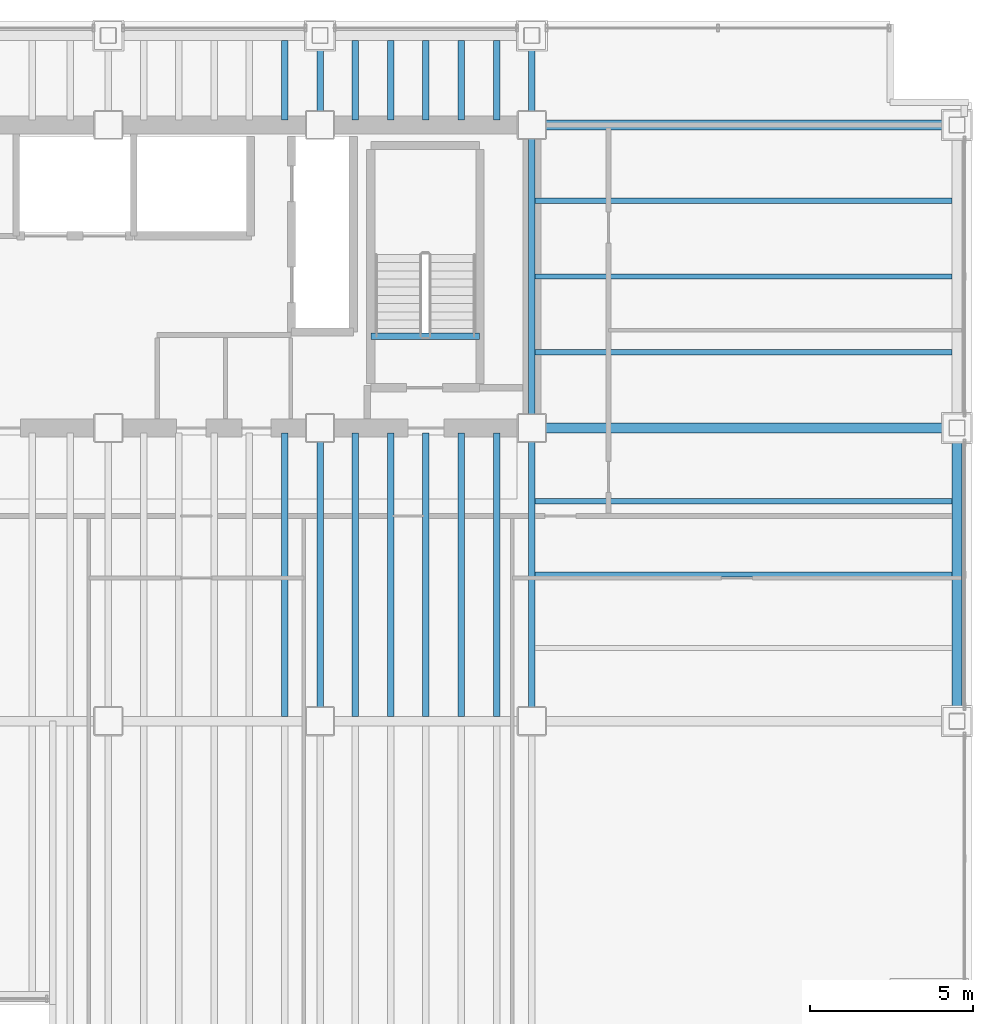
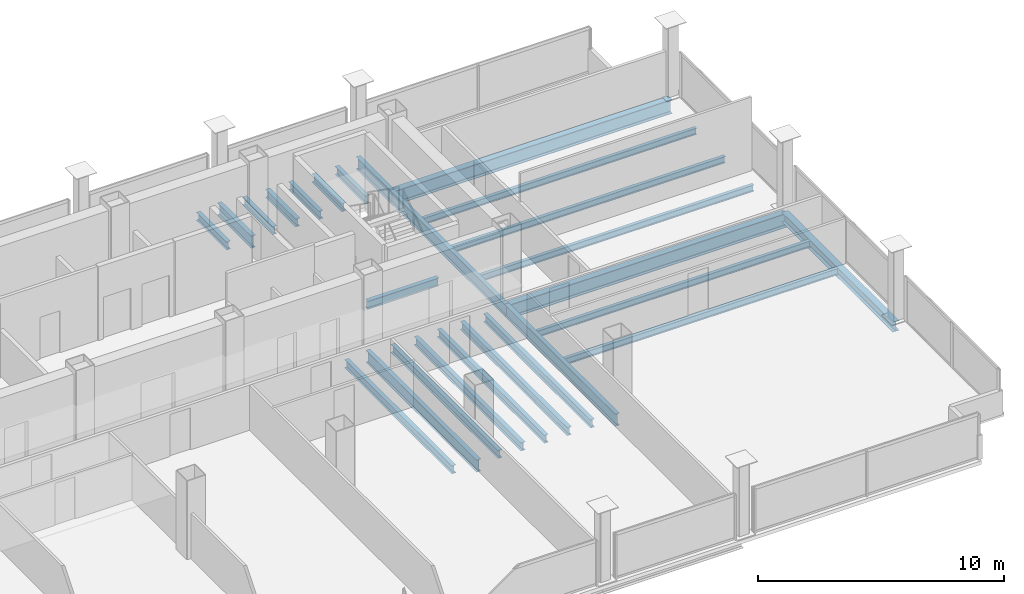
# One storey, part 12 of 21: 26 beams.
"""IFC4 building model written with IfcOpenShell, lengths in metres."""

from ifc_helpers import new_model, si_unit, direction, frame, origin, origin_2d, place, context, subcontext, project, spatial, i_section, extrude, material, material_profile, profile_set, type_object, element, save


model = new_model("IFC4")

# Units and contexts
model_context = context("Model", 3, precision=1e-05, world=origin(), true_north=direction((0.0, 1.0)))
body_context = subcontext(model_context, "Body", "Model", "MODEL_VIEW")
ifc_project = project(units=[si_unit("LENGTHUNIT", "METRE"), si_unit("AREAUNIT", "SQUARE_METRE"), si_unit("VOLUMEUNIT", "CUBIC_METRE"), si_unit("PLANEANGLEUNIT", "RADIAN"), si_unit("MASSUNIT", "GRAM", prefix="KILO")], contexts=[model_context])

# Site, building, storey
site_placement = place(None, origin())
site = spatial("IfcSite", under=ifc_project, at=site_placement, CompositionType="ELEMENT")
building_placement = place(site_placement, origin())
building = spatial("IfcBuilding", under=site, at=building_placement, Name="Noeulbin Bourse Tower", CompositionType="ELEMENT")
storey_placement = place(building_placement, frame((0.0, 0.0, 111.0)))
storey = spatial("IfcBuildingStorey", under=building, at=storey_placement, Name="L27", CompositionType="ELEMENT", Elevation=111.0)

# Beams
ifc_material = material(Name="Steel S355", Category="steel")
ifc_material_profile_1 = material_profile(ifc_material, i_section(OverallWidth=0.199951171875, OverallDepth=0.60009765625, WebThickness=0.010986328125, FlangeThickness=0.01708984375, FilletRadius=0.02197265625, at=origin_2d()), Name="H-600x200x11x17", Category="LoadBearing")
ifc_profile_set_1 = profile_set([ifc_material_profile_1], Name="Steel S355")
beam_type_1 = type_object("IfcBeamType", Name="BM-GRD-600", PredefinedType="USERDEFINED", material=ifc_profile_set_1)
beam_1_placement = place(storey_placement, frame((37.5, 20.0, -0.47998046875), z_axis=(0.0, 1.0, 0.0), x_axis=(-1.0, 0.0, 0.0)))
element("IfcBeam", 1, at=beam_1_placement, inside=storey, type_object=beam_type_1, Name="Tower Primary Girder NS L27-4.2", ObjectType="GIRDER", PredefinedType="USERDEFINED", context=body_context, shape_type="SweptSolid", body=[
    extrude(i_section(OverallWidth=0.199951171875, OverallDepth=0.60009765625, WebThickness=0.010986328125, FlangeThickness=0.01708984375, FilletRadius=0.02197265625, at=origin_2d()), origin(), (0.0, 0.0, 1.0), 9.0),
])
beam_2_placement = place(storey_placement, frame((37.5, 38.300048828125, -0.47998046875), z_axis=(0.0, 1.0, 0.0), x_axis=(-1.0, 0.0, 0.0)))
element("IfcBeam", 2, at=beam_2_placement, inside=storey, type_object=beam_type_1, Name="Tower Primary Girder NS L27-4.4", ObjectType="GIRDER", PredefinedType="USERDEFINED", context=body_context, shape_type="SweptSolid", body=[
    extrude(i_section(OverallWidth=0.199951171875, OverallDepth=0.60009765625, WebThickness=0.010986328125, FlangeThickness=0.01708984375, FilletRadius=0.02197265625, at=origin_2d()), origin(), (0.0, 0.0, 1.0), 2.75),
])
beam_3_placement = place(storey_placement, frame((44.0, 20.0, -0.47998046875), z_axis=(0.0, 1.0, 0.0), x_axis=(-1.0, 0.0, 0.0)))
element("IfcBeam", 3, at=beam_3_placement, inside=storey, type_object=beam_type_1, Name="Tower Primary Girder NS L27-5.2", ObjectType="GIRDER", PredefinedType="USERDEFINED", context=body_context, shape_type="SweptSolid", body=[
    extrude(i_section(OverallWidth=0.199951171875, OverallDepth=0.60009765625, WebThickness=0.010986328125, FlangeThickness=0.01708984375, FilletRadius=0.02197265625, at=origin_2d()), origin(), (0.0, 0.0, 1.0), 9.0),
])
beam_4_placement = place(storey_placement, frame((44.0, 29.0, -0.47998046875), z_axis=(0.0, 1.0, 0.0), x_axis=(-1.0, 0.0, 0.0)))
element("IfcBeam", 4, at=beam_4_placement, inside=storey, type_object=beam_type_1, Name="Tower Primary Girder NS L27-5.3", ObjectType="GIRDER", PredefinedType="USERDEFINED", context=body_context, shape_type="SweptSolid", body=[
    extrude(i_section(OverallWidth=0.199951171875, OverallDepth=0.60009765625, WebThickness=0.010986328125, FlangeThickness=0.01708984375, FilletRadius=0.02197265625, at=origin_2d()), origin(), (0.0, 0.0, 1.0), 9.300048828125),
])
beam_5_placement = place(storey_placement, frame((44.0, 38.300048828125, -0.47998046875), z_axis=(0.0, 1.0, 0.0), x_axis=(-1.0, 0.0, 0.0)))
element("IfcBeam", 5, at=beam_5_placement, inside=storey, type_object=beam_type_1, Name="Tower Primary Girder NS L27-5.4", ObjectType="GIRDER", PredefinedType="USERDEFINED", context=body_context, shape_type="SweptSolid", body=[
    extrude(i_section(OverallWidth=0.199951171875, OverallDepth=0.60009765625, WebThickness=0.010986328125, FlangeThickness=0.01708984375, FilletRadius=0.02197265625, at=origin_2d()), origin(), (0.0, 0.0, 1.0), 2.75),
])
ifc_material_profile_2 = material_profile(ifc_material, i_section(OverallWidth=0.300048828125, OverallDepth=0.699951171875, WebThickness=0.012939453125, FlangeThickness=0.02392578125, FilletRadius=0.02392578125, at=origin_2d()), Name="H-700x300x13x24", Category="LoadBearing")
ifc_profile_set_2 = profile_set([ifc_material_profile_2], Name="Steel S355")
beam_type_2 = type_object("IfcBeamType", Name="BM-GRD-700", PredefinedType="USERDEFINED", material=ifc_profile_set_2)
for number, where, z_axis, x_axis, name in (
    (6, (44.0, 29.0, -0.530029296875), (1.0, 0.0, 0.0), (0.0, 1.0, 0.0), "Tower Primary Girder EW L27-2.6"),
    (7, (44.0, 38.300048828125, -0.530029296875), (1.0, 0.0, 0.0), (0.0, 1.0, 0.0), "Tower Primary Girder EW L27-3.6"),
):
    element("IfcBeam", number, at=place(storey_placement, frame(where, z_axis=z_axis, x_axis=x_axis)), inside=storey, type_object=beam_type_2, Name=name, ObjectType="GIRDER", PredefinedType="USERDEFINED", context=body_context, shape_type="SweptSolid", body=[
        extrude(i_section(OverallWidth=0.300048828125, OverallDepth=0.699951171875, WebThickness=0.012939453125, FlangeThickness=0.02392578125, FilletRadius=0.02392578125, at=origin_2d()), origin(), (0.0, 0.0, 1.0), 13.050048828125),
    ])
ifc_material_profile_3 = material_profile(ifc_material, i_section(OverallWidth=0.159912109375, OverallDepth=0.320068359375, WebThickness=0.006591796875, FlangeThickness=0.010009765625, FilletRadius=0.012939453125, at=origin_2d()), Name="H-320x160x6.5x10", Category="LoadBearing")
ifc_profile_set_3 = profile_set([ifc_material_profile_3], Name="Steel S355")
beam_type_3 = type_object("IfcBeamType", Name="BM-JST-320", PredefinedType="JOIST", material=ifc_profile_set_3)
for number, where, z_axis, x_axis, name in (
    (8, (44.10009765625, 24.5, -0.340087890625), (1.0, 0.0, 0.0), (0.0, 1.0, 0.0), "Wing Composite Joist L27-E77"),
    (9, (44.10009765625, 26.75, -0.340087890625), (1.0, 0.0, 0.0), (0.0, 1.0, 0.0), "Wing Composite Joist L27-E78"),
    (10, (44.10009765625, 31.324951171875, -0.340087890625), (1.0, 0.0, 0.0), (0.0, 1.0, 0.0), "Wing Composite Joist L27-E79"),
    (11, (44.10009765625, 33.64990234375, -0.340087890625), (1.0, 0.0, 0.0), (0.0, 1.0, 0.0), "Wing Composite Joist L27-E80"),
    (12, (44.10009765625, 35.97509765625, -0.340087890625), (1.0, 0.0, 0.0), (0.0, 1.0, 0.0), "Wing Composite Joist L27-E81"),
):
    element("IfcBeam", number, at=place(storey_placement, frame(where, z_axis=z_axis, x_axis=x_axis)), inside=storey, type_object=beam_type_3, Name=name, PredefinedType="JOIST", context=body_context, shape_type="SweptSolid", body=[
        extrude(i_section(OverallWidth=0.159912109375, OverallDepth=0.320068359375, WebThickness=0.006591796875, FlangeThickness=0.010009765625, FilletRadius=0.012939453125, at=origin_2d()), origin(), (0.0, 0.0, 1.0), 12.7998046875),
    ])
ifc_material_profile_4 = material_profile(ifc_material, i_section(OverallWidth=0.199951171875, OverallDepth=0.39990234375, WebThickness=0.008056640625, FlangeThickness=0.012939453125, FilletRadius=0.01611328125, at=origin_2d()), Name="H-400x200x8x13", Category="LoadBearing")
ifc_profile_set_4 = profile_set([ifc_material_profile_4], Name="Steel S355")
beam_type_4 = type_object("IfcBeamType", Name="BM-SEC-400", PredefinedType="BEAM", material=ifc_profile_set_4)
beam_6_placement = place(storey_placement, frame((36.416748046875, 20.14990234375, -0.3798828125), z_axis=(0.0, 1.0, 0.0), x_axis=(-1.0, 0.0, 0.0)))
element("IfcBeam", 13, at=beam_6_placement, inside=storey, type_object=beam_type_4, Name="Tower Composite Joist L27-53", PredefinedType="BEAM", context=body_context, shape_type="SweptSolid", body=[
    extrude(i_section(OverallWidth=0.199951171875, OverallDepth=0.39990234375, WebThickness=0.008056640625, FlangeThickness=0.012939453125, FilletRadius=0.01611328125, at=origin_2d()), origin(), (0.0, 0.0, 1.0), 8.7001953125),
])
beam_7_placement = place(storey_placement, frame((36.416748046875, 38.449951171875, -0.3798828125), z_axis=(0.0, 1.0, 0.0), x_axis=(-1.0, 0.0, 0.0)))
element("IfcBeam", 14, at=beam_7_placement, inside=storey, type_object=beam_type_4, Name="Tower Composite Joist L27-54", PredefinedType="BEAM", context=body_context, shape_type="SweptSolid", body=[
    extrude(i_section(OverallWidth=0.199951171875, OverallDepth=0.39990234375, WebThickness=0.008056640625, FlangeThickness=0.012939453125, FilletRadius=0.01611328125, at=origin_2d()), origin(), (0.0, 0.0, 1.0), 2.449951171875),
])
beam_8_placement = place(storey_placement, frame((38.583251953125, 20.14990234375, -0.3798828125), z_axis=(0.0, 1.0, 0.0), x_axis=(-1.0, 0.0, 0.0)))
element("IfcBeam", 15, at=beam_8_placement, inside=storey, type_object=beam_type_4, Name="Tower Composite Joist L27-56", PredefinedType="BEAM", context=body_context, shape_type="SweptSolid", body=[
    extrude(i_section(OverallWidth=0.199951171875, OverallDepth=0.39990234375, WebThickness=0.008056640625, FlangeThickness=0.012939453125, FilletRadius=0.01611328125, at=origin_2d()), origin(), (0.0, 0.0, 1.0), 8.7001953125),
])
beam_9_placement = place(storey_placement, frame((38.583251953125, 38.449951171875, -0.3798828125), z_axis=(0.0, 1.0, 0.0), x_axis=(-1.0, 0.0, 0.0)))
element("IfcBeam", 16, at=beam_9_placement, inside=storey, type_object=beam_type_4, Name="Tower Composite Joist L27-57", PredefinedType="BEAM", context=body_context, shape_type="SweptSolid", body=[
    extrude(i_section(OverallWidth=0.199951171875, OverallDepth=0.39990234375, WebThickness=0.008056640625, FlangeThickness=0.012939453125, FilletRadius=0.01611328125, at=origin_2d()), origin(), (0.0, 0.0, 1.0), 2.449951171875),
])
beam_10_placement = place(storey_placement, frame((39.666748046875, 20.14990234375, -0.3798828125), z_axis=(0.0, 1.0, 0.0), x_axis=(-1.0, 0.0, 0.0)))
element("IfcBeam", 17, at=beam_10_placement, inside=storey, type_object=beam_type_4, Name="Tower Composite Joist L27-59", PredefinedType="BEAM", context=body_context, shape_type="SweptSolid", body=[
    extrude(i_section(OverallWidth=0.199951171875, OverallDepth=0.39990234375, WebThickness=0.008056640625, FlangeThickness=0.012939453125, FilletRadius=0.01611328125, at=origin_2d()), origin(), (0.0, 0.0, 1.0), 8.7001953125),
])
beam_11_placement = place(storey_placement, frame((39.666748046875, 38.449951171875, -0.3798828125), z_axis=(0.0, 1.0, 0.0), x_axis=(-1.0, 0.0, 0.0)))
element("IfcBeam", 18, at=beam_11_placement, inside=storey, type_object=beam_type_4, Name="Tower Composite Joist L27-60", PredefinedType="BEAM", context=body_context, shape_type="SweptSolid", body=[
    extrude(i_section(OverallWidth=0.199951171875, OverallDepth=0.39990234375, WebThickness=0.008056640625, FlangeThickness=0.012939453125, FilletRadius=0.01611328125, at=origin_2d()), origin(), (0.0, 0.0, 1.0), 2.449951171875),
])
beam_12_placement = place(storey_placement, frame((40.75, 20.14990234375, -0.3798828125), z_axis=(0.0, 1.0, 0.0), x_axis=(-1.0, 0.0, 0.0)))
element("IfcBeam", 19, at=beam_12_placement, inside=storey, type_object=beam_type_4, Name="Tower Composite Joist L27-62", PredefinedType="BEAM", context=body_context, shape_type="SweptSolid", body=[
    extrude(i_section(OverallWidth=0.199951171875, OverallDepth=0.39990234375, WebThickness=0.008056640625, FlangeThickness=0.012939453125, FilletRadius=0.01611328125, at=origin_2d()), origin(), (0.0, 0.0, 1.0), 8.7001953125),
])
beam_13_placement = place(storey_placement, frame((40.75, 38.449951171875, -0.3798828125), z_axis=(0.0, 1.0, 0.0), x_axis=(-1.0, 0.0, 0.0)))
element("IfcBeam", 20, at=beam_13_placement, inside=storey, type_object=beam_type_4, Name="Tower Composite Joist L27-63", PredefinedType="BEAM", context=body_context, shape_type="SweptSolid", body=[
    extrude(i_section(OverallWidth=0.199951171875, OverallDepth=0.39990234375, WebThickness=0.008056640625, FlangeThickness=0.012939453125, FilletRadius=0.01611328125, at=origin_2d()), origin(), (0.0, 0.0, 1.0), 2.449951171875),
])
beam_14_placement = place(storey_placement, frame((41.833251953125, 20.14990234375, -0.3798828125), z_axis=(0.0, 1.0, 0.0), x_axis=(-1.0, 0.0, 0.0)))
element("IfcBeam", 21, at=beam_14_placement, inside=storey, type_object=beam_type_4, Name="Tower Composite Joist L27-65", PredefinedType="BEAM", context=body_context, shape_type="SweptSolid", body=[
    extrude(i_section(OverallWidth=0.199951171875, OverallDepth=0.39990234375, WebThickness=0.008056640625, FlangeThickness=0.012939453125, FilletRadius=0.01611328125, at=origin_2d()), origin(), (0.0, 0.0, 1.0), 8.7001953125),
])
beam_15_placement = place(storey_placement, frame((41.833251953125, 38.449951171875, -0.3798828125), z_axis=(0.0, 1.0, 0.0), x_axis=(-1.0, 0.0, 0.0)))
element("IfcBeam", 22, at=beam_15_placement, inside=storey, type_object=beam_type_4, Name="Tower Composite Joist L27-66", PredefinedType="BEAM", context=body_context, shape_type="SweptSolid", body=[
    extrude(i_section(OverallWidth=0.199951171875, OverallDepth=0.39990234375, WebThickness=0.008056640625, FlangeThickness=0.012939453125, FilletRadius=0.01611328125, at=origin_2d()), origin(), (0.0, 0.0, 1.0), 2.449951171875),
])
beam_16_placement = place(storey_placement, frame((42.916748046875, 20.14990234375, -0.3798828125), z_axis=(0.0, 1.0, 0.0), x_axis=(-1.0, 0.0, 0.0)))
element("IfcBeam", 23, at=beam_16_placement, inside=storey, type_object=beam_type_4, Name="Tower Composite Joist L27-68", PredefinedType="BEAM", context=body_context, shape_type="SweptSolid", body=[
    extrude(i_section(OverallWidth=0.199951171875, OverallDepth=0.39990234375, WebThickness=0.008056640625, FlangeThickness=0.012939453125, FilletRadius=0.01611328125, at=origin_2d()), origin(), (0.0, 0.0, 1.0), 8.7001953125),
])
beam_17_placement = place(storey_placement, frame((42.916748046875, 38.449951171875, -0.3798828125), z_axis=(0.0, 1.0, 0.0), x_axis=(-1.0, 0.0, 0.0)))
element("IfcBeam", 24, at=beam_17_placement, inside=storey, type_object=beam_type_4, Name="Tower Composite Joist L27-69", PredefinedType="BEAM", context=body_context, shape_type="SweptSolid", body=[
    extrude(i_section(OverallWidth=0.199951171875, OverallDepth=0.39990234375, WebThickness=0.008056640625, FlangeThickness=0.012939453125, FilletRadius=0.01611328125, at=origin_2d()), origin(), (0.0, 0.0, 1.0), 2.449951171875),
])
beam_18_placement = place(storey_placement, frame((39.06005859375, 31.820068359375, -0.199951171875), z_axis=(1.0, 0.0, 0.0), x_axis=(0.0, 1.0, 0.0)))
element("IfcBeam", 25, at=beam_18_placement, inside=storey, type_object=beam_type_4, Name="Stair Threshold Trimmer Beam ST2-L27", PredefinedType="BEAM", context=body_context, shape_type="SweptSolid", body=[
    extrude(i_section(OverallWidth=0.199951171875, OverallDepth=0.39990234375, WebThickness=0.008056640625, FlangeThickness=0.012939453125, FilletRadius=0.01611328125, at=origin_2d()), origin(), (0.0, 0.0, 1.0), 3.33984375),
])
ifc_material_profile_5 = material_profile(ifc_material, i_section(OverallWidth=0.300048828125, OverallDepth=0.488037109375, WebThickness=0.010986328125, FlangeThickness=0.01806640625, FilletRadius=0.02197265625, at=origin_2d()), Name="H-488x300x11x18", Category="LoadBearing")
ifc_profile_set_5 = profile_set([ifc_material_profile_5], Name="Steel S355")
beam_type_5 = type_object("IfcBeamType", Name="BM-SPN-488", PredefinedType="SPANDREL", material=ifc_profile_set_5)
beam_19_placement = place(storey_placement, frame((57.050048828125, 20.0, -0.424072265625), z_axis=(0.0, 1.0, 0.0), x_axis=(-1.0, 0.0, 0.0)))
element("IfcBeam", 26, at=beam_19_placement, inside=storey, type_object=beam_type_5, Name="East Spandrel L27-1", PredefinedType="SPANDREL", context=body_context, shape_type="SweptSolid", body=[
    extrude(i_section(OverallWidth=0.300048828125, OverallDepth=0.488037109375, WebThickness=0.010986328125, FlangeThickness=0.01806640625, FilletRadius=0.02197265625, at=origin_2d()), origin(), (0.0, 0.0, 1.0), 9.0),
])

save(model, "model.ifc")
